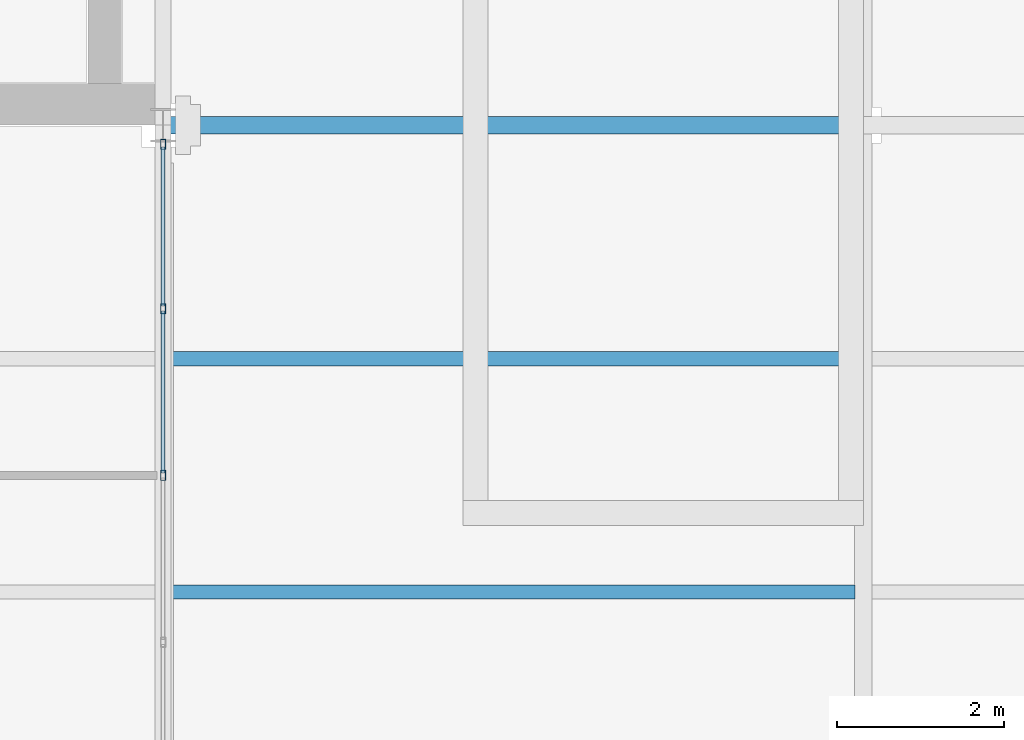
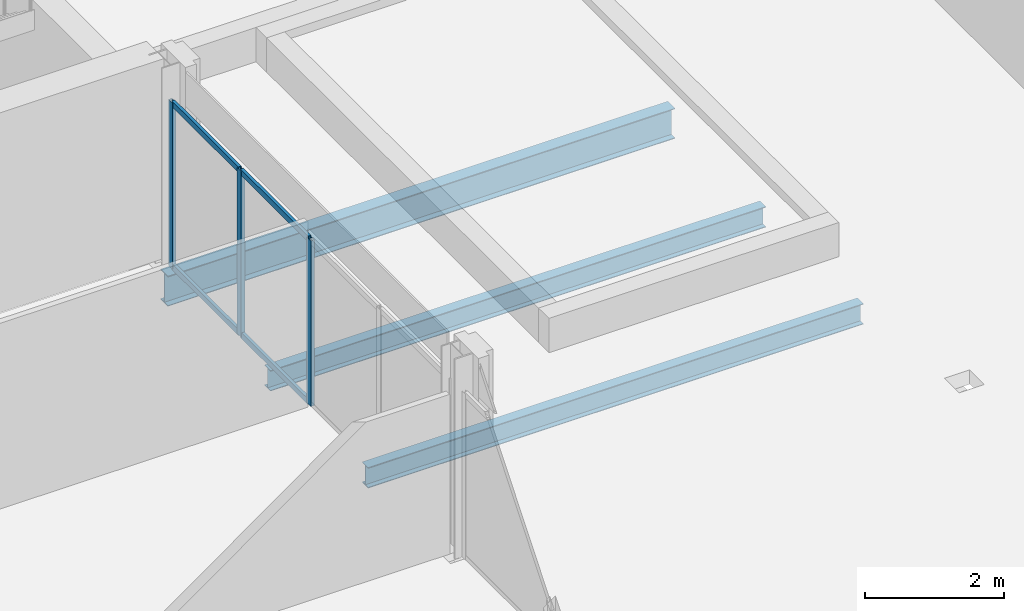
# One storey, part 21 of 32: 7 members, 3 beams, 1 element without a shape of its own.
"""IFC4 building model written with IfcOpenShell, lengths in metres."""

from ifc_helpers import new_model, si_unit, direction, frame, origin, origin_2d, place, context, subcontext, project, spatial, hollow_rectangle, i_section, extrude, material, material_profile, profile_set, type_object, element, aggregate, save


model = new_model("IFC4")

# Units and contexts
model_context = context("Model", 3, precision=1e-05, world=origin(), true_north=direction((0.0, 1.0)))
body_context = subcontext(model_context, "Body", "Model", "MODEL_VIEW")
ifc_project = project(units=[si_unit("LENGTHUNIT", "METRE"), si_unit("AREAUNIT", "SQUARE_METRE"), si_unit("VOLUMEUNIT", "CUBIC_METRE"), si_unit("PLANEANGLEUNIT", "RADIAN"), si_unit("MASSUNIT", "GRAM", prefix="KILO")], contexts=[model_context])

# Site, building, storey
site_placement = place(None, origin())
site = spatial("IfcSite", under=ifc_project, at=site_placement, CompositionType="ELEMENT")
building_placement = place(site_placement, origin())
building = spatial("IfcBuilding", under=site, at=building_placement, Name="Catenary Quay Ferry Terminal", CompositionType="ELEMENT")
storey_placement = place(building_placement, frame((0.0, 0.0, 17.10009765625)))
storey = spatial("IfcBuildingStorey", under=building, at=storey_placement, Name="L03", CompositionType="ELEMENT", Elevation=17.10009765625)

# Beams
ifc_material_1 = material(Name="Steel S355", Category="steel")
ifc_material_profile_1 = material_profile(ifc_material_1, i_section(OverallWidth=0.208740234375, OverallDepth=0.5283203125, WebThickness=0.009521484375, FlangeThickness=0.01318359375, at=origin_2d()), Name="UB 533x210x82")
ifc_profile_set_1 = profile_set([ifc_material_profile_1], Name="Steel S355")
beam_type_1 = type_object("IfcBeamType", Name="B5 UB 533x210x82", PredefinedType="BEAM", material=ifc_profile_set_1)
beam_placement = place(storey_placement, frame((50.39990234375, 201.60009765625, -0.51416015625), z_axis=(1.0, 0.0, 0.0), x_axis=(0.0, 1.0, 0.0)))
element("IfcBeam", 1, at=beam_placement, inside=storey, type_object=beam_type_1, Name="Beam B5-011", PredefinedType="BEAM", context=body_context, shape_type="SweptSolid", body=[
    extrude(i_section(OverallWidth=0.208740234375, OverallDepth=0.5283203125, WebThickness=0.009521484375, FlangeThickness=0.01318359375, at=origin_2d()), origin(), (0.0, 0.0, 1.0), 8.400146484375),
])
ifc_material_2 = material(Name="Steel S355", Category="steel")
ifc_material_profile_2 = material_profile(ifc_material_2, i_section(OverallWidth=0.169921875, OverallDepth=0.360107421875, WebThickness=0.008056640625, FlangeThickness=0.0126953125, at=origin_2d()), Name="IPE 360")
ifc_profile_set_2 = profile_set([ifc_material_profile_2], Name="Steel S355")
beam_type_2 = type_object("IfcBeamType", Name="B7 IPE 360", PredefinedType="BEAM", material=ifc_profile_set_2)
for number, where, z_axis, x_axis, name in (
    (2, (50.4951171875, 196.0, -0.43017578125), (1.0, 0.0, 0.0), (0.0, 1.0, 0.0), "Beam B7-017"),
    (3, (50.4951171875, 198.800048828125, -0.43017578125), (1.0, 0.0, 0.0), (0.0, 1.0, 0.0), "Beam B7-019"),
):
    element("IfcBeam", number, at=place(storey_placement, frame(where, z_axis=z_axis, x_axis=x_axis)), inside=storey, type_object=beam_type_2, Name=name, PredefinedType="BEAM", context=body_context, shape_type="SweptSolid", body=[
        extrude(i_section(OverallWidth=0.169921875, OverallDepth=0.360107421875, WebThickness=0.008056640625, FlangeThickness=0.0126953125, at=origin_2d()), origin(), (0.0, 0.0, 1.0), 8.200927734375),
    ])

# Curtain wall, members
ifc_material_3 = material(Name="Aluminium and glass", Category="aluminium")
curtain_wall_type = type_object("IfcCurtainWallType", Name="CWW3", PredefinedType="NOTDEFINED", material=ifc_material_3)
curtain_wall_placement = place(storey_placement, origin())
curtain_wall = element("IfcCurtainWall", 4, at=curtain_wall_placement, inside=storey, type_object=curtain_wall_type, Name="Wing curtain wall CW149", PredefinedType="NOTDEFINED")
ifc_material_4 = material(Name="Aluminium", Category="aluminium")
ifc_material_profile_3 = material_profile(ifc_material_4, hollow_rectangle(XDim=0.06005859375, YDim=0.1201171875, WallThickness=0.0048828125, at=origin_2d()), Name="MU4")
ifc_profile_set_3 = profile_set([ifc_material_profile_3], Name="Aluminium")
member_type_1 = type_object("IfcMemberType", Name="MU4", PredefinedType="MULLION", material=ifc_profile_set_3)
member_1_placement = place(storey_placement, frame((50.39990234375, 197.39990234375, 0.0), z_axis=(0.0, 0.0, 1.0), x_axis=(-1.0, 0.0, 0.0)))
member_1 = element("IfcMember", 5, at=member_1_placement, type_object=member_type_1, Name="CW149 mullion 3", PredefinedType="MULLION", context=body_context, shape_type="SweptSolid", body=[
    extrude(hollow_rectangle(XDim=0.06005859375, YDim=0.1201171875, WallThickness=0.0048828125, at=origin_2d()), origin(), (0.0, 0.0, 1.0), 2.89990234375),
])
member_2_placement = place(storey_placement, frame((50.39990234375, 199.39990234375, 0.0), z_axis=(0.0, 0.0, 1.0), x_axis=(-1.0, 0.0, 0.0)))
member_2 = element("IfcMember", 6, at=member_2_placement, type_object=member_type_1, Name="CW149 mullion 4", PredefinedType="MULLION", context=body_context, shape_type="SweptSolid", body=[
    extrude(hollow_rectangle(XDim=0.06005859375, YDim=0.1201171875, WallThickness=0.0048828125, at=origin_2d()), origin(), (0.0, 0.0, 1.0), 2.89990234375),
])
member_3_placement = place(storey_placement, frame((50.39990234375, 201.3701171875, 0.0), z_axis=(0.0, 0.0, 1.0), x_axis=(-1.0, 0.0, 0.0)))
member_3 = element("IfcMember", 7, at=member_3_placement, type_object=member_type_1, Name="CW149 mullion 5", PredefinedType="MULLION", context=body_context, shape_type="SweptSolid", body=[
    extrude(hollow_rectangle(XDim=0.06005859375, YDim=0.1201171875, WallThickness=0.0048828125, at=origin_2d()), origin(), (0.0, 0.0, 1.0), 2.89990234375),
])
ifc_material_5 = material(Name="Aluminium", Category="aluminium")
ifc_material_profile_4 = material_profile(ifc_material_5, hollow_rectangle(XDim=0.050048828125, YDim=0.10009765625, WallThickness=0.00390625, at=origin_2d()), Name="TR4")
ifc_profile_set_4 = profile_set([ifc_material_profile_4], Name="Aluminium")
member_type_2 = type_object("IfcMemberType", Name="TR4", PredefinedType="USERDEFINED", material=ifc_profile_set_4)
member_4_placement = place(storey_placement, frame((50.39990234375, 197.429931640625, 0.02490234375), z_axis=(0.0, 1.0, 0.0), x_axis=(-1.0, 0.0, 0.0)))
member_4 = element("IfcMember", 8, at=member_4_placement, type_object=member_type_2, Name="CW149 transom 3.1", ObjectType="TRANSOM", PredefinedType="USERDEFINED", context=body_context, shape_type="SweptSolid", body=[
    extrude(hollow_rectangle(XDim=0.050048828125, YDim=0.10009765625, WallThickness=0.00390625, at=origin_2d()), origin(), (0.0, 0.0, 1.0), 1.940185546875),
])
member_5_placement = place(storey_placement, frame((50.39990234375, 197.429931640625, 2.875), z_axis=(0.0, 1.0, 0.0), x_axis=(-1.0, 0.0, 0.0)))
member_5 = element("IfcMember", 9, at=member_5_placement, type_object=member_type_2, Name="CW149 transom 3.2", ObjectType="TRANSOM", PredefinedType="USERDEFINED", context=body_context, shape_type="SweptSolid", body=[
    extrude(hollow_rectangle(XDim=0.050048828125, YDim=0.10009765625, WallThickness=0.00390625, at=origin_2d()), origin(), (0.0, 0.0, 1.0), 1.940185546875),
])
member_6_placement = place(storey_placement, frame((50.39990234375, 199.429931640625, 0.02490234375), z_axis=(0.0, 1.0, 0.0), x_axis=(-1.0, 0.0, 0.0)))
member_6 = element("IfcMember", 10, at=member_6_placement, type_object=member_type_2, Name="CW149 transom 4.1", ObjectType="TRANSOM", PredefinedType="USERDEFINED", context=body_context, shape_type="SweptSolid", body=[
    extrude(hollow_rectangle(XDim=0.050048828125, YDim=0.10009765625, WallThickness=0.00390625, at=origin_2d()), origin(), (0.0, 0.0, 1.0), 1.91015625),
])
member_7_placement = place(storey_placement, frame((50.39990234375, 199.429931640625, 2.875), z_axis=(0.0, 1.0, 0.0), x_axis=(-1.0, 0.0, 0.0)))
member_7 = element("IfcMember", 11, at=member_7_placement, type_object=member_type_2, Name="CW149 transom 4.2", ObjectType="TRANSOM", PredefinedType="USERDEFINED", context=body_context, shape_type="SweptSolid", body=[
    extrude(hollow_rectangle(XDim=0.050048828125, YDim=0.10009765625, WallThickness=0.00390625, at=origin_2d()), origin(), (0.0, 0.0, 1.0), 1.91015625),
])
aggregate(curtain_wall, [member_1, member_2, member_3, member_4, member_5, member_6, member_7])

save(model, "model.ifc")
